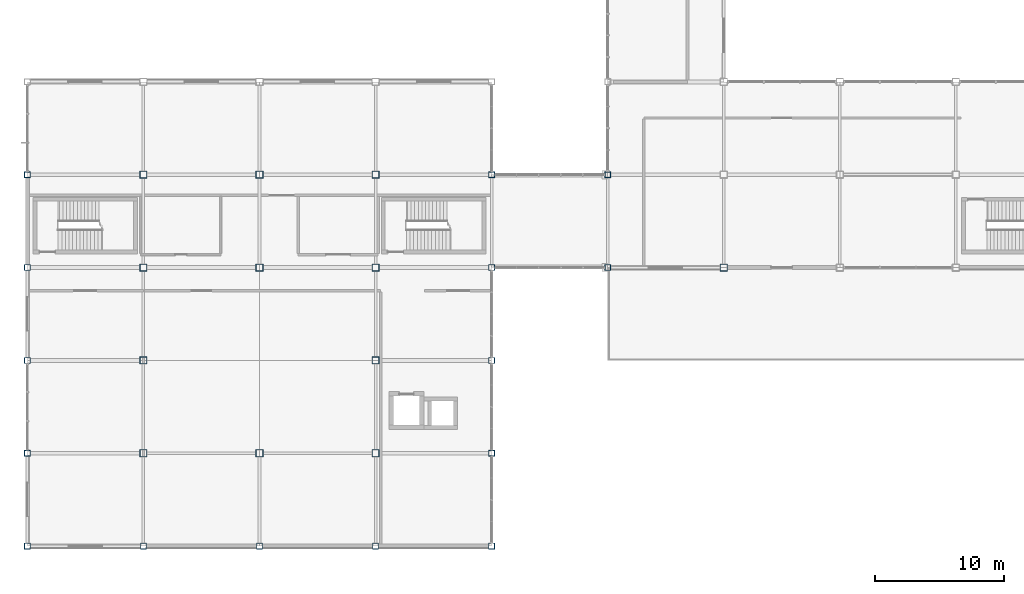
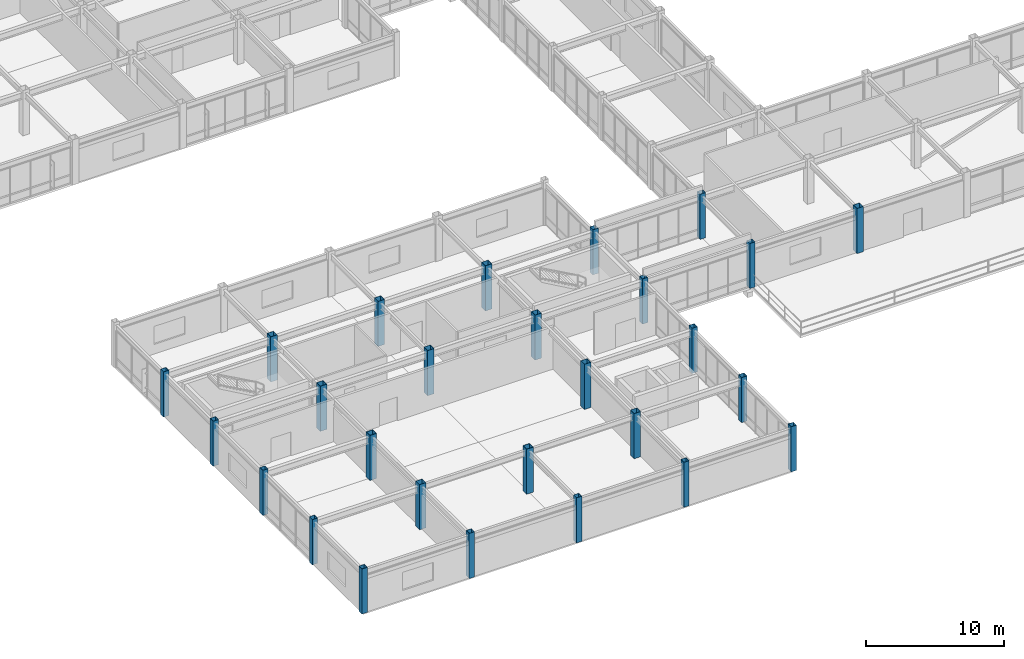
# One storey, part 1 of 122: 27 columns.
"""IFC4 building model written with IfcOpenShell, lengths in metres."""

from ifc_helpers import new_model, si_unit, direction, frame, origin, origin_2d, place, context, subcontext, project, spatial, hollow_rectangle, extrude, material, material_profile, profile_set, type_object, element, save


model = new_model("IFC4")

# Units and contexts
model_context = context("Model", 3, precision=1e-05, world=origin(), true_north=direction((0.0, 1.0)))
body_context = subcontext(model_context, "Body", "Model", "MODEL_VIEW")
ifc_project = project(units=[si_unit("LENGTHUNIT", "METRE"), si_unit("AREAUNIT", "SQUARE_METRE"), si_unit("VOLUMEUNIT", "CUBIC_METRE"), si_unit("PLANEANGLEUNIT", "RADIAN"), si_unit("MASSUNIT", "GRAM", prefix="KILO")], contexts=[model_context])

# Site, building, storey
site_placement = place(None, origin())
site = spatial("IfcSite", under=ifc_project, at=site_placement, CompositionType="ELEMENT")
building_placement = place(site_placement, origin())
building = spatial("IfcBuilding", under=site, at=building_placement, Name="Kazanami Central Library", CompositionType="ELEMENT")
storey_placement = place(building_placement, frame((0.0, 0.0, 4.800048828125)))
storey = spatial("IfcBuildingStorey", under=building, at=storey_placement, Name="L02", CompositionType="ELEMENT", Elevation=4.800048828125)

# Columns
ifc_material = material(Name="Steel BCP325 (325 MPa)", Category="steel")
ifc_material_profile_1 = material_profile(ifc_material, hollow_rectangle(XDim=0.449951171875, YDim=0.449951171875, WallThickness=0.01904296875, at=origin_2d()), Name="BCP-450x450x19")
ifc_profile_set_1 = profile_set([ifc_material_profile_1], Name="Steel BCP325 (325 MPa)")
column_type_1 = type_object("IfcColumnType", Name="COL-C-P2E", PredefinedType="COLUMN", material=ifc_profile_set_1)
for number, where, z_axis, x_axis, name in (
    (1, (0.0, 0.0, 0.0), (0.0, 0.0, 1.0), (1.0, 0.0, 0.0), "Column C-P2E L02 1/A"),
    (2, (0.0, 7.199951171875, 0.0), (0.0, 0.0, 1.0), (1.0, 0.0, 0.0), "Column C-P2E L02 1/B"),
    (3, (0.0, 14.39990234375, 0.0), (0.0, 0.0, 1.0), (1.0, 0.0, 0.0), "Column C-P2E L02 1/C"),
    (4, (0.0, 21.60009765625, 0.0), (0.0, 0.0, 1.0), (1.0, 0.0, 0.0), "Column C-P2E L02 1/D"),
    (5, (0.0, 28.800048828125, 0.0), (0.0, 0.0, 1.0), (1.0, 0.0, 0.0), "Column C-P2E L02 1/E"),
    (6, (9.0, 0.0, 0.0), (0.0, 0.0, 1.0), (1.0, 0.0, 0.0), "Column C-P2E L02 2/A"),
    (7, (18.0, 0.0, 0.0), (0.0, 0.0, 1.0), (1.0, 0.0, 0.0), "Column C-P2E L02 3/A"),
    (8, (27.0, 0.0, 0.0), (0.0, 0.0, 1.0), (1.0, 0.0, 0.0), "Column C-P2E L02 4/A"),
    (9, (36.0, 0.0, 0.0), (0.0, 0.0, 1.0), (1.0, 0.0, 0.0), "Column C-P2E L02 5/A"),
    (10, (36.0, 7.199951171875, 0.0), (0.0, 0.0, 1.0), (1.0, 0.0, 0.0), "Column C-P2E L02 5/B"),
    (11, (36.0, 14.39990234375, 0.0), (0.0, 0.0, 1.0), (1.0, 0.0, 0.0), "Column C-P2E L02 5/C"),
    (12, (36.0, 21.60009765625, 0.0), (0.0, 0.0, 1.0), (1.0, 0.0, 0.0), "Column C-P2E L02 5/D"),
    (13, (36.0, 28.800048828125, 0.0), (0.0, 0.0, 1.0), (1.0, 0.0, 0.0), "Column C-P2E L02 5/E"),
    (14, (45.0, 21.60009765625, 0.0), (0.0, 0.0, 1.0), (1.0, 0.0, 0.0), "Column C-P2E L02 6/D"),
    (15, (45.0, 28.800048828125, 0.0), (0.0, 0.0, 1.0), (1.0, 0.0, 0.0), "Column C-P2E L02 6/E"),
):
    element("IfcColumn", number, at=place(storey_placement, frame(where, z_axis=z_axis, x_axis=x_axis)), inside=storey, type_object=column_type_1, Name=name, PredefinedType="COLUMN", context=body_context, shape_type="SweptSolid", body=[
        extrude(hollow_rectangle(XDim=0.449951171875, YDim=0.449951171875, WallThickness=0.01904296875, at=origin_2d()), origin(), (0.0, 0.0, 1.0), 4.0),
    ])
ifc_material_profile_2 = material_profile(ifc_material, hollow_rectangle(XDim=0.550048828125, YDim=0.550048828125, WallThickness=0.02197265625, at=origin_2d()), Name="BCP-550x550x22")
ifc_profile_set_2 = profile_set([ifc_material_profile_2], Name="Steel BCP325 (325 MPa)")
column_type_2 = type_object("IfcColumnType", Name="COL-C-P2I", PredefinedType="COLUMN", material=ifc_profile_set_2)
for number, where, z_axis, x_axis, name in (
    (16, (9.0, 7.199951171875, 0.0), (0.0, 0.0, 1.0), (1.0, 0.0, 0.0), "Column C-P2I L02 2/B"),
    (17, (9.0, 14.39990234375, 0.0), (0.0, 0.0, 1.0), (1.0, 0.0, 0.0), "Column C-P2I L02 2/C"),
    (18, (9.0, 21.60009765625, 0.0), (0.0, 0.0, 1.0), (1.0, 0.0, 0.0), "Column C-P2I L02 2/D"),
    (19, (9.0, 28.800048828125, 0.0), (0.0, 0.0, 1.0), (1.0, 0.0, 0.0), "Column C-P2I L02 2/E"),
    (20, (18.0, 7.199951171875, 0.0), (0.0, 0.0, 1.0), (1.0, 0.0, 0.0), "Column C-P2I L02 3/B"),
    (21, (18.0, 21.60009765625, 0.0), (0.0, 0.0, 1.0), (1.0, 0.0, 0.0), "Column C-P2I L02 3/D"),
    (22, (18.0, 28.800048828125, 0.0), (0.0, 0.0, 1.0), (1.0, 0.0, 0.0), "Column C-P2I L02 3/E"),
    (23, (27.0, 7.199951171875, 0.0), (0.0, 0.0, 1.0), (1.0, 0.0, 0.0), "Column C-P2I L02 4/B"),
    (24, (27.0, 14.39990234375, 0.0), (0.0, 0.0, 1.0), (1.0, 0.0, 0.0), "Column C-P2I L02 4/C"),
    (25, (27.0, 21.60009765625, 0.0), (0.0, 0.0, 1.0), (1.0, 0.0, 0.0), "Column C-P2I L02 4/D"),
    (26, (27.0, 28.800048828125, 0.0), (0.0, 0.0, 1.0), (1.0, 0.0, 0.0), "Column C-P2I L02 4/E"),
    (27, (54.0, 21.60009765625, 0.0), (0.0, 0.0, 1.0), (1.0, 0.0, 0.0), "Column C-P2I L02 7/D"),
):
    element("IfcColumn", number, at=place(storey_placement, frame(where, z_axis=z_axis, x_axis=x_axis)), inside=storey, type_object=column_type_2, Name=name, PredefinedType="COLUMN", context=body_context, shape_type="SweptSolid", body=[
        extrude(hollow_rectangle(XDim=0.550048828125, YDim=0.550048828125, WallThickness=0.02197265625, at=origin_2d()), origin(), (0.0, 0.0, 1.0), 4.0),
    ])

save(model, "model.ifc")
